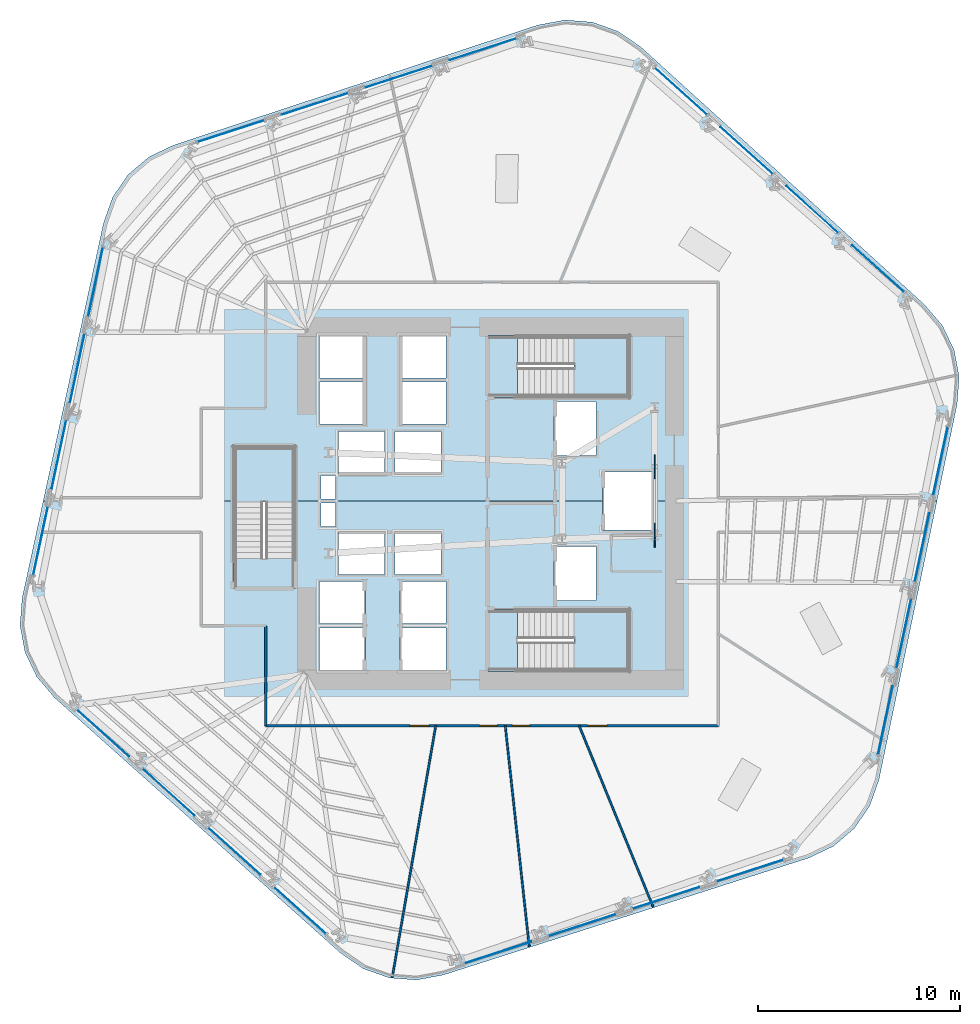
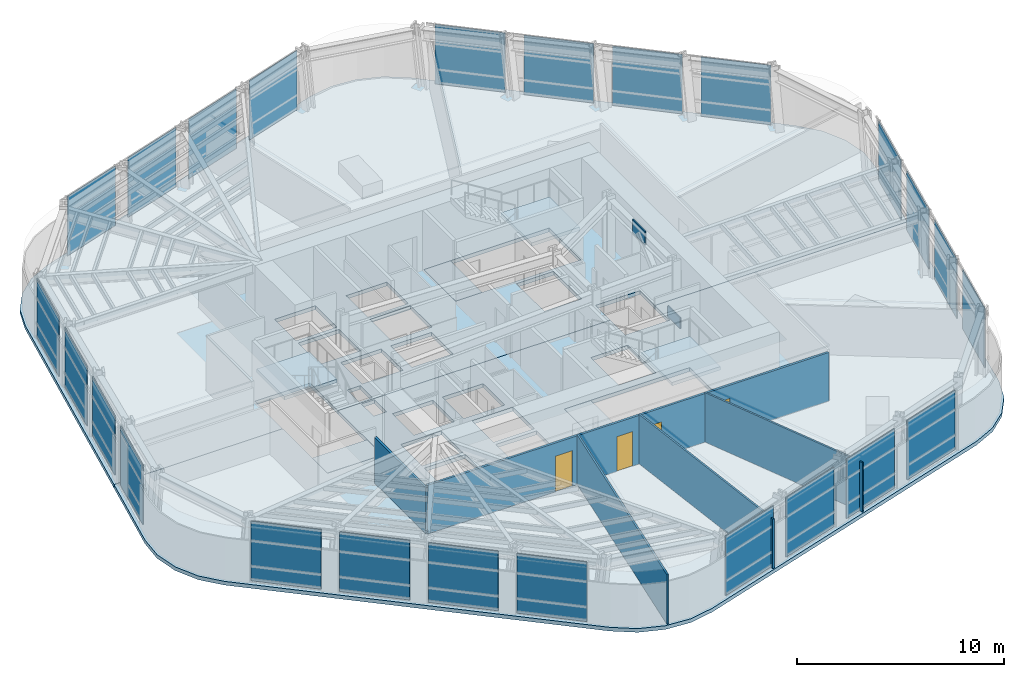
# One storey, part 8 of 16: 26 plates, 8 slabs, 5 walls, 4 doors, 4 openings, 9 elements without a shape of their own.
"""IFC4 building model written with IfcOpenShell, lengths in metres."""

from ifc_helpers import new_model, si_unit, direction, frame, frame_2d, origin, origin_2d, place, context, subcontext, project, spatial, polyline, rectangle, outline, extrude, material, layer, layer_set, type_object, element, fill, aggregate, save


model = new_model("IFC4")

# Units and contexts
model_context = context("Model", 3, precision=1e-05, world=origin(), true_north=direction((0.0, 1.0)))
body_context = subcontext(model_context, "Body", "Model", "MODEL_VIEW")
ifc_project = project(units=[si_unit("LENGTHUNIT", "METRE"), si_unit("AREAUNIT", "SQUARE_METRE"), si_unit("VOLUMEUNIT", "CUBIC_METRE"), si_unit("PLANEANGLEUNIT", "RADIAN"), si_unit("MASSUNIT", "GRAM", prefix="KILO")], contexts=[model_context])

# Site, building, storey
site_placement = place(None, origin())
site = spatial("IfcSite", under=ifc_project, at=site_placement, CompositionType="ELEMENT")
building_placement = place(site_placement, origin())
building = spatial("IfcBuilding", under=site, at=building_placement, Name="Valkerne Bourse Tower", CompositionType="ELEMENT")
storey_placement = place(building_placement, frame((0.0, 0.0, 101.0)))
storey = spatial("IfcBuildingStorey", under=building, at=storey_placement, Name="L25", CompositionType="ELEMENT", Elevation=101.0)

# Curtain wall, plates
ifc_material_1 = material(Name="Aluminium AA 6063-T6", Category="aluminium")
ifc_layer_1 = layer(ifc_material_1, 0.22998046875)
ifc_layer_set_1 = layer_set([ifc_layer_1], Name="Aluminium AA 6063-T6")
curtain_wall_type = type_object("IfcCurtainWallType", Name="CW-02", PredefinedType="NOTDEFINED", material=ifc_layer_set_1)
curtain_wall_1_placement = place(storey_placement, origin())
curtain_wall_1 = element("IfcCurtainWall", 1, at=curtain_wall_1_placement, inside=storey, type_object=curtain_wall_type, Name="L25 Hexagonal Stick Curtain Wall Face 1", PredefinedType="NOTDEFINED")
ifc_material_2 = material(Name="Glass IGU Low-E Double Glazed", Category="glass")
ifc_layer_2 = layer(ifc_material_2, 0.031982421875)
ifc_layer_set_2 = layer_set([ifc_layer_2], Name="Glass IGU Low-E Double Glazed")
plate_type_1 = type_object("IfcPlateType", Name="CW-PNL-IGU-32", PredefinedType="CURTAIN_PANEL", material=ifc_layer_set_2)
plate_1_placement = place(storey_placement, frame((66.023681640625, 38.524658203125, 0.030029296875), z_axis=(0.0, 0.0, 1.0), x_axis=(-0.743144377687, 0.66913110368, 0.0)))
plate_1 = element("IfcPlate", 2, at=plate_1_placement, type_object=plate_type_1, Name="CW-L25-F1 Curtain Panel 00", PredefinedType="CURTAIN_PANEL", context=body_context, shape_type="SweptSolid", body=[
    extrude(rectangle(XDim=3.462890625, YDim=0.031982421875, at=origin_2d()), origin(), (0.0, 0.0, 1.0), 3.52001953125),
])
plate_2_placement = place(storey_placement, frame((62.7666015625, 41.45751953125, 0.030029296875), z_axis=(0.0, 0.0, 1.0), x_axis=(-0.743144377687, 0.66913110368, 0.0)))
plate_2 = element("IfcPlate", 3, at=plate_2_placement, type_object=plate_type_1, Name="CW-L25-F1 Curtain Panel 01", PredefinedType="CURTAIN_PANEL", context=body_context, shape_type="SweptSolid", body=[
    extrude(rectangle(XDim=3.462890625, YDim=0.031982421875, at=origin_2d()), origin(), (0.0, 0.0, 1.0), 3.52001953125),
])
plate_3_placement = place(storey_placement, frame((59.50927734375, 44.390380859375, 0.030029296875), z_axis=(0.0, 0.0, 1.0), x_axis=(-0.743144377687, 0.66913110368, 0.0)))
plate_3 = element("IfcPlate", 4, at=plate_3_placement, type_object=plate_type_1, Name="CW-L25-F1 Curtain Panel 02", PredefinedType="CURTAIN_PANEL", context=body_context, shape_type="SweptSolid", body=[
    extrude(rectangle(XDim=3.462890625, YDim=0.031982421875, at=origin_2d()), origin(), (0.0, 0.0, 1.0), 3.52001953125),
])
plate_4_placement = place(storey_placement, frame((56.252197265625, 47.322998046875, 0.030029296875), z_axis=(0.0, 0.0, 1.0), x_axis=(-0.743144377687, 0.66913110368, 0.0)))
plate_4 = element("IfcPlate", 5, at=plate_4_placement, type_object=plate_type_1, Name="CW-L25-F1 Curtain Panel 03", PredefinedType="CURTAIN_PANEL", context=body_context, shape_type="SweptSolid", body=[
    extrude(rectangle(XDim=3.462890625, YDim=0.031982421875, at=origin_2d()), origin(), (0.0, 0.0, 1.0), 3.52001953125),
])
aggregate(curtain_wall_1, [plate_1, plate_2, plate_3, plate_4])

curtain_wall_2_placement = place(storey_placement, origin())
curtain_wall_2 = element("IfcCurtainWall", 6, at=curtain_wall_2_placement, inside=storey, type_object=curtain_wall_type, Name="L25 Hexagonal Stick Curtain Wall Face 2", PredefinedType="NOTDEFINED")
plate_5_placement = place(storey_placement, frame((46.43115234375, 49.41064453125, 0.030029296875), z_axis=(0.0, 0.0, 1.0), x_axis=(-0.951051671907, -0.30903190347, 0.0)))
plate_5 = element("IfcPlate", 7, at=plate_5_placement, type_object=plate_type_1, Name="CW-L25-F2 Curtain Panel 00", PredefinedType="CURTAIN_PANEL", context=body_context, shape_type="SweptSolid", body=[
    extrude(rectangle(XDim=3.462890625, YDim=0.031982421875, at=origin_2d()), origin(), (0.0, 0.0, 1.0), 3.52001953125),
])
plate_6_placement = place(storey_placement, frame((42.2626953125, 48.05615234375, 0.030029296875), z_axis=(0.0, 0.0, 1.0), x_axis=(-0.951058377242, -0.309011266911, 0.0)))
plate_6 = element("IfcPlate", 8, at=plate_6_placement, type_object=plate_type_1, Name="CW-L25-F2 Curtain Panel 01", PredefinedType="CURTAIN_PANEL", context=body_context, shape_type="SweptSolid", body=[
    extrude(rectangle(XDim=3.462890625, YDim=0.031982421875, at=origin_2d()), origin(), (0.0, 0.0, 1.0), 3.52001953125),
])
plate_7_placement = place(storey_placement, frame((38.09423828125, 46.701904296875, 0.030029296875), z_axis=(0.0, 0.0, 1.0), x_axis=(-0.951056198577, -0.309017972209, 0.0)))
plate_7 = element("IfcPlate", 9, at=plate_7_placement, type_object=plate_type_1, Name="CW-L25-F2 Curtain Panel 02", PredefinedType="CURTAIN_PANEL", context=body_context, shape_type="SweptSolid", body=[
    extrude(rectangle(XDim=3.462890625, YDim=0.031982421875, at=origin_2d()), origin(), (0.0, 0.0, 1.0), 3.52001953125),
])
plate_8_placement = place(storey_placement, frame((33.92578125, 45.347412109375, 0.030029296875), z_axis=(0.0, 0.0, 1.0), x_axis=(-0.951058377242, -0.309011266911, 0.0)))
plate_8 = element("IfcPlate", 10, at=plate_8_placement, type_object=plate_type_1, Name="CW-L25-F2 Curtain Panel 03", PredefinedType="CURTAIN_PANEL", context=body_context, shape_type="SweptSolid", body=[
    extrude(rectangle(XDim=3.462890625, YDim=0.031982421875, at=origin_2d()), origin(), (0.0, 0.0, 1.0), 3.52001953125),
])
aggregate(curtain_wall_2, [plate_5, plate_6, plate_7, plate_8])

curtain_wall_3_placement = place(storey_placement, origin())
curtain_wall_3 = element("IfcCurtainWall", 11, at=curtain_wall_3_placement, inside=storey, type_object=curtain_wall_type, Name="L25 Hexagonal Stick Curtain Wall Face 3", PredefinedType="NOTDEFINED")
plate_9_placement = place(storey_placement, frame((27.20751953125, 37.885986328125, 0.030029296875), z_axis=(0.0, 0.0, 1.0), x_axis=(-0.207917695785, -0.978146324319, 0.0)))
plate_9 = element("IfcPlate", 12, at=plate_9_placement, type_object=plate_type_1, Name="CW-L25-F3 Curtain Panel 00", PredefinedType="CURTAIN_PANEL", context=body_context, shape_type="SweptSolid", body=[
    extrude(rectangle(XDim=3.462890625, YDim=0.031982421875, at=origin_2d()), origin(), (0.0, 0.0, 1.0), 3.52001953125),
])
plate_10_placement = place(storey_placement, frame((26.296142578125, 33.5986328125, 0.030029296875), z_axis=(0.0, 0.0, 1.0), x_axis=(-0.207917695785, -0.978146324319, 0.0)))
plate_10 = element("IfcPlate", 13, at=plate_10_placement, type_object=plate_type_1, Name="CW-L25-F3 Curtain Panel 01", PredefinedType="CURTAIN_PANEL", context=body_context, shape_type="SweptSolid", body=[
    extrude(rectangle(XDim=3.462890625, YDim=0.031982421875, at=origin_2d()), origin(), (0.0, 0.0, 1.0), 3.52001953125),
])
plate_11_placement = place(storey_placement, frame((25.385009765625, 29.3115234375, 0.030029296875), z_axis=(0.0, 0.0, 1.0), x_axis=(-0.207917695785, -0.978146324319, 0.0)))
plate_11 = element("IfcPlate", 14, at=plate_11_placement, type_object=plate_type_1, Name="CW-L25-F3 Curtain Panel 02", PredefinedType="CURTAIN_PANEL", context=body_context, shape_type="SweptSolid", body=[
    extrude(rectangle(XDim=3.462890625, YDim=0.031982421875, at=origin_2d()), origin(), (0.0, 0.0, 1.0), 3.52001953125),
])
plate_12_placement = place(storey_placement, frame((24.4736328125, 25.0244140625, 0.030029296875), z_axis=(0.0, 0.0, 1.0), x_axis=(-0.207913055801, -0.978147310597, 0.0)))
plate_12 = element("IfcPlate", 15, at=plate_12_placement, type_object=plate_type_1, Name="CW-L25-F3 Curtain Panel 03", PredefinedType="CURTAIN_PANEL", context=body_context, shape_type="SweptSolid", body=[
    extrude(rectangle(XDim=3.463134765625, YDim=0.031982421875, at=origin_2d()), origin(), (0.0, 0.0, 1.0), 3.52001953125),
])
aggregate(curtain_wall_3, [plate_9, plate_10, plate_11, plate_12])

curtain_wall_4_placement = place(storey_placement, origin())
curtain_wall_4 = element("IfcCurtainWall", 16, at=curtain_wall_4_placement, inside=storey, type_object=curtain_wall_type, Name="L25 Hexagonal Stick Curtain Wall Face 4", PredefinedType="NOTDEFINED")
plate_13_placement = place(storey_placement, frame((27.576416015625, 15.475341796875, 0.030029296875), z_axis=(0.0, 0.0, 1.0), x_axis=(0.743144377687, -0.66913110368, 0.0)))
plate_13 = element("IfcPlate", 17, at=plate_13_placement, type_object=plate_type_1, Name="CW-L25-F4 Curtain Panel 00", PredefinedType="CURTAIN_PANEL", context=body_context, shape_type="SweptSolid", body=[
    extrude(rectangle(XDim=3.462890625, YDim=0.031982421875, at=origin_2d()), origin(), (0.0, 0.0, 1.0), 3.52001953125),
])
plate_14_placement = place(storey_placement, frame((30.83349609375, 12.54248046875, 0.030029296875), z_axis=(0.0, 0.0, 1.0), x_axis=(0.743144377687, -0.66913110368, 0.0)))
plate_14 = element("IfcPlate", 18, at=plate_14_placement, type_object=plate_type_1, Name="CW-L25-F4 Curtain Panel 01", PredefinedType="CURTAIN_PANEL", context=body_context, shape_type="SweptSolid", body=[
    extrude(rectangle(XDim=3.462890625, YDim=0.031982421875, at=origin_2d()), origin(), (0.0, 0.0, 1.0), 3.52001953125),
])
plate_15_placement = place(storey_placement, frame((34.0908203125, 9.60986328125, 0.030029296875), z_axis=(0.0, 0.0, 1.0), x_axis=(0.743144377687, -0.66913110368, 0.0)))
plate_15 = element("IfcPlate", 19, at=plate_15_placement, type_object=plate_type_1, Name="CW-L25-F4 Curtain Panel 02", PredefinedType="CURTAIN_PANEL", context=body_context, shape_type="SweptSolid", body=[
    extrude(rectangle(XDim=3.462890625, YDim=0.031982421875, at=origin_2d()), origin(), (0.0, 0.0, 1.0), 3.52001953125),
])
plate_16_placement = place(storey_placement, frame((37.347900390625, 6.677001953125, 0.030029296875), z_axis=(0.0, 0.0, 1.0), x_axis=(0.743144377687, -0.66913110368, 0.0)))
plate_16 = element("IfcPlate", 20, at=plate_16_placement, type_object=plate_type_1, Name="CW-L25-F4 Curtain Panel 03", PredefinedType="CURTAIN_PANEL", context=body_context, shape_type="SweptSolid", body=[
    extrude(rectangle(XDim=3.462890625, YDim=0.031982421875, at=origin_2d()), origin(), (0.0, 0.0, 1.0), 3.52001953125),
])
aggregate(curtain_wall_4, [plate_13, plate_14, plate_15, plate_16])

curtain_wall_5_placement = place(storey_placement, origin())
curtain_wall_5 = element("IfcCurtainWall", 21, at=curtain_wall_5_placement, inside=storey, type_object=curtain_wall_type, Name="L25 Hexagonal Stick Curtain Wall Face 5", PredefinedType="NOTDEFINED")
plate_17_placement = place(storey_placement, frame((47.168701171875, 4.58935546875, 0.030029296875), z_axis=(0.0, 0.0, 1.0), x_axis=(0.951051671907, 0.30903190347, 0.0)))
plate_17 = element("IfcPlate", 22, at=plate_17_placement, type_object=plate_type_1, Name="CW-L25-F5 Curtain Panel 00", PredefinedType="CURTAIN_PANEL", context=body_context, shape_type="SweptSolid", body=[
    extrude(rectangle(XDim=3.462890625, YDim=0.031982421875, at=origin_2d()), origin(), (0.0, 0.0, 1.0), 3.52001953125),
])
plate_18_placement = place(storey_placement, frame((51.33740234375, 5.94384765625, 0.030029296875), z_axis=(0.0, 0.0, 1.0), x_axis=(0.951058377242, 0.309011266911, 0.0)))
plate_18 = element("IfcPlate", 23, at=plate_18_placement, type_object=plate_type_1, Name="CW-L25-F5 Curtain Panel 01", PredefinedType="CURTAIN_PANEL", context=body_context, shape_type="SweptSolid", body=[
    extrude(rectangle(XDim=3.462890625, YDim=0.031982421875, at=origin_2d()), origin(), (0.0, 0.0, 1.0), 3.52001953125),
])
plate_19_placement = place(storey_placement, frame((55.505615234375, 7.298095703125, 0.030029296875), z_axis=(0.0, 0.0, 1.0), x_axis=(0.951056198577, 0.309017972209, 0.0)))
plate_19 = element("IfcPlate", 24, at=plate_19_placement, type_object=plate_type_1, Name="CW-L25-F5 Curtain Panel 02", PredefinedType="CURTAIN_PANEL", context=body_context, shape_type="SweptSolid", body=[
    extrude(rectangle(XDim=3.462890625, YDim=0.031982421875, at=origin_2d()), origin(), (0.0, 0.0, 1.0), 3.52001953125),
])
plate_20_placement = place(storey_placement, frame((59.67431640625, 8.652587890625, 0.030029296875), z_axis=(0.0, 0.0, 1.0), x_axis=(0.951058377242, 0.309011266911, 0.0)))
plate_20 = element("IfcPlate", 25, at=plate_20_placement, type_object=plate_type_1, Name="CW-L25-F5 Curtain Panel 03", PredefinedType="CURTAIN_PANEL", context=body_context, shape_type="SweptSolid", body=[
    extrude(rectangle(XDim=3.462890625, YDim=0.031982421875, at=origin_2d()), origin(), (0.0, 0.0, 1.0), 3.52001953125),
])
aggregate(curtain_wall_5, [plate_17, plate_18, plate_19, plate_20])

curtain_wall_6_placement = place(storey_placement, origin())
curtain_wall_6 = element("IfcCurtainWall", 26, at=curtain_wall_6_placement, inside=storey, type_object=curtain_wall_type, Name="L25 Hexagonal Stick Curtain Wall Face 6", PredefinedType="NOTDEFINED")
plate_21_placement = place(storey_placement, frame((66.392578125, 16.114013671875, 0.030029296875), z_axis=(0.0, 0.0, 1.0), x_axis=(0.207917695785, 0.978146324319, 0.0)))
plate_21 = element("IfcPlate", 27, at=plate_21_placement, type_object=plate_type_1, Name="CW-L25-F6 Curtain Panel 00", PredefinedType="CURTAIN_PANEL", context=body_context, shape_type="SweptSolid", body=[
    extrude(rectangle(XDim=3.462890625, YDim=0.031982421875, at=origin_2d()), origin(), (0.0, 0.0, 1.0), 3.52001953125),
])
plate_22_placement = place(storey_placement, frame((67.3037109375, 20.4013671875, 0.030029296875), z_axis=(0.0, 0.0, 1.0), x_axis=(0.207917695785, 0.978146324319, 0.0)))
plate_22 = element("IfcPlate", 28, at=plate_22_placement, type_object=plate_type_1, Name="CW-L25-F6 Curtain Panel 01", PredefinedType="CURTAIN_PANEL", context=body_context, shape_type="SweptSolid", body=[
    extrude(rectangle(XDim=3.462890625, YDim=0.031982421875, at=origin_2d()), origin(), (0.0, 0.0, 1.0), 3.52001953125),
])
plate_23_placement = place(storey_placement, frame((68.215087890625, 24.6884765625, 0.030029296875), z_axis=(0.0, 0.0, 1.0), x_axis=(0.207917695785, 0.978146324319, 0.0)))
plate_23 = element("IfcPlate", 29, at=plate_23_placement, type_object=plate_type_1, Name="CW-L25-F6 Curtain Panel 02", PredefinedType="CURTAIN_PANEL", context=body_context, shape_type="SweptSolid", body=[
    extrude(rectangle(XDim=3.462890625, YDim=0.031982421875, at=origin_2d()), origin(), (0.0, 0.0, 1.0), 3.52001953125),
])
plate_24_placement = place(storey_placement, frame((69.12646484375, 28.9755859375, 0.030029296875), z_axis=(0.0, 0.0, 1.0), x_axis=(0.207913055801, 0.978147310597, 0.0)))
plate_24 = element("IfcPlate", 30, at=plate_24_placement, type_object=plate_type_1, Name="CW-L25-F6 Curtain Panel 03", PredefinedType="CURTAIN_PANEL", context=body_context, shape_type="SweptSolid", body=[
    extrude(rectangle(XDim=3.463134765625, YDim=0.031982421875, at=origin_2d()), origin(), (0.0, 0.0, 1.0), 3.52001953125),
])
aggregate(curtain_wall_6, [plate_21, plate_22, plate_23, plate_24])

# Plates
ifc_material_3 = material(Name="Steel ASTM A572 Grade 50", Category="steel")
ifc_layer_3 = layer(ifc_material_3, 0.06005859375)
ifc_layer_set_3 = layer_set([ifc_layer_3], Name="Steel ASTM A572 Grade 50")
plate_type_2 = type_object("IfcPlateType", Name="PLT-GUS-60", PredefinedType="SHEET", material=ifc_layer_set_3)
for number, where, z_axis, x_axis, name in (
    (31, (54.949951171875, 25.300048828125, -0.18017578125), (0.0, 0.0, 1.0), (0.0, 1.0, 0.0), "L25 Brace Node Gusset Plate PLT-GUS-END-L25-366"),
    (32, (54.949951171875, 28.699951171875, 2.8740234375), (0.0, 0.0, 1.0), (0.0, 1.0, 0.0), "L25 Brace Node Gusset Plate PLT-GUS-END-L25-367"),
):
    element("IfcPlate", number, at=place(storey_placement, frame(where, z_axis=z_axis, x_axis=x_axis)), inside=storey, type_object=plate_type_2, Name=name, PredefinedType="SHEET", context=body_context, shape_type="SweptSolid", body=[
        extrude(rectangle(XDim=1.199951171875, YDim=0.06005859375, at=origin_2d()), origin(), (0.0, 0.0, 1.0), 0.800048828125),
    ])

# Slabs
ifc_material_4 = material(Name="Concrete C40/50", Category="concrete")
ifc_layer_4 = layer(ifc_material_4, 0.25)
ifc_layer_set_4 = layer_set([ifc_layer_4], Name="Concrete C40/50")
slab_type_1 = type_object("IfcSlabType", Name="SLB-RMP-LND-250", PredefinedType="LANDING", material=ifc_layer_set_4)
slab_1_placement = place(storey_placement, frame((0.0, 0.0, -0.219970703125)))
element("IfcSlab", 33, at=slab_1_placement, inside=storey, type_object=slab_type_1, Name="L25 ST-1 Floor Landing Slab", PredefinedType="LANDING", context=body_context, shape_type="SweptSolid", body=[
    extrude(outline(polyline([(46.669921875, 18.5400390625), (48.14990234375, 18.5400390625), (48.14990234375, 21.610107421875), (46.669921875, 21.610107421875), (46.669921875, 18.5400390625)])), origin(), (0.0, 0.0, 1.0), 0.219970703125),
])
slab_2_placement = place(storey_placement, frame((0.0, 0.0, -0.219970703125)))
element("IfcSlab", 34, at=slab_2_placement, inside=storey, type_object=slab_type_1, Name="L25 ST-2 Floor Landing Slab", PredefinedType="LANDING", context=body_context, shape_type="SweptSolid", body=[
    extrude(outline(polyline([(46.669921875, 32.139892578125), (48.14990234375, 32.139892578125), (48.14990234375, 35.2099609375), (46.669921875, 35.2099609375), (46.669921875, 32.139892578125)])), origin(), (0.0, 0.0, 1.0), 0.219970703125),
])
slab_3_placement = place(storey_placement, frame((0.0, 0.0, -0.219970703125)))
element("IfcSlab", 35, at=slab_3_placement, inside=storey, type_object=slab_type_1, Name="L25 ST-3 Floor Landing Slab", PredefinedType="LANDING", context=body_context, shape_type="SweptSolid", body=[
    extrude(outline(polyline([(37.110107421875, 22.669921875), (37.110107421875, 24.14990234375), (34.0400390625, 24.14990234375), (34.0400390625, 22.669921875), (37.110107421875, 22.669921875)])), origin(), (0.0, 0.0, 1.0), 0.219970703125),
])

# Stair, slab
stair_type = type_object("IfcStairType", Name="ST-CORE-1400", PredefinedType="HALF_TURN_STAIR", material=ifc_material_4)
stair_1_placement = place(storey_placement, origin())
stair_1 = element("IfcStair", 36, at=stair_1_placement, inside=storey, type_object=stair_type, Name="L25 ST-1", PredefinedType="HALF_TURN_STAIR")
ifc_layer_5 = layer(ifc_material_4, 0.179931640625)
ifc_layer_set_5 = layer_set([ifc_layer_5], Name="Concrete C40/50")
slab_type_2 = type_object("IfcSlabType", Name="SLB-ST-LND-180", PredefinedType="LANDING", material=ifc_layer_set_5)
slab_4_placement = place(storey_placement, frame((0.0, 0.0, 1.699951171875)))
slab_4 = element("IfcSlab", 37, at=slab_4_placement, type_object=slab_type_2, Name="ST-1 landing 1", PredefinedType="LANDING", context=body_context, shape_type="SweptSolid", body=[
    extrude(outline(polyline([(50.949951171875, 18.60009765625), (53.64990234375, 18.60009765625), (53.64990234375, 21.550048828125), (50.949951171875, 21.550048828125), (50.949951171875, 18.60009765625)])), origin(), (0.0, 0.0, 1.0), 0.199951171875),
])
aggregate(stair_1, [slab_4])

stair_2_placement = place(storey_placement, origin())
stair_2 = element("IfcStair", 38, at=stair_2_placement, inside=storey, type_object=stair_type, Name="L25 ST-2", PredefinedType="HALF_TURN_STAIR")
slab_5_placement = place(storey_placement, frame((0.0, 0.0, 1.699951171875)))
slab_5 = element("IfcSlab", 39, at=slab_5_placement, type_object=slab_type_2, Name="ST-2 landing 1", PredefinedType="LANDING", context=body_context, shape_type="SweptSolid", body=[
    extrude(outline(polyline([(50.949951171875, 32.199951171875), (53.64990234375, 32.199951171875), (53.64990234375, 35.14990234375), (50.949951171875, 35.14990234375), (50.949951171875, 32.199951171875)])), origin(), (0.0, 0.0, 1.0), 0.199951171875),
])
aggregate(stair_2, [slab_5])

stair_3_placement = place(storey_placement, origin())
stair_3 = element("IfcStair", 40, at=stair_3_placement, inside=storey, type_object=stair_type, Name="L25 ST-3", PredefinedType="HALF_TURN_STAIR")
slab_6_placement = place(storey_placement, frame((0.0, 0.0, 1.699951171875)))
slab_6 = element("IfcSlab", 41, at=slab_6_placement, type_object=slab_type_2, Name="ST-3 landing 1", PredefinedType="LANDING", context=body_context, shape_type="SweptSolid", body=[
    extrude(outline(polyline([(37.050048828125, 26.949951171875), (37.050048828125, 29.64990234375), (34.10009765625, 29.64990234375), (34.10009765625, 26.949951171875), (37.050048828125, 26.949951171875)])), origin(), (0.0, 0.0, 1.0), 0.199951171875),
])
aggregate(stair_3, [slab_6])

# Slabs
ifc_layer_6 = layer(ifc_material_4, 0.219970703125)
ifc_layer_set_6 = layer_set([ifc_layer_6], Name="Concrete C40/50")
slab_type_3 = type_object("IfcSlabType", Name="SLB-TOW-220", PredefinedType="FLOOR", material=ifc_layer_set_6)
slab_7_placement = place(storey_placement, frame((0.0, 0.0, -0.219970703125)))
element("IfcSlab", 42, at=slab_7_placement, inside=storey, type_object=slab_type_3, Name="L25 Hexagonal Composite Floor Slab S", PredefinedType="FLOOR", context=body_context, shape_type="SweptSolid", body=[
    extrude(outline(polyline([(65.618896484375, 11.8662109375), (64.85009765625, 10.74755859375), (63.81787109375, 9.865966796875), (62.5927734375, 9.281494140625), (44.45751953125, 3.47412109375), (43.122802734375, 3.226806640625), (41.76953125, 3.333251953125), (40.489990234375, 3.786376953125), (39.37109375, 4.55517578125), (25.166015625, 17.23681640625), (24.2841796875, 18.26904296875), (23.699951171875, 19.494384765625), (23.452392578125, 20.8291015625), (23.55908203125, 22.182373046875), (24.6044921875, 27.0), (34.034912109375, 27.0), (34.034912109375, 22.6650390625), (37.114990234375, 22.6650390625), (37.114990234375, 27.0), (52.360107421875, 27.0), (52.360107421875, 25.56005859375), (54.840087890625, 25.56005859375), (54.840087890625, 27.0), (68.95556640625, 27.0), (66.072265625, 13.14599609375), (65.618896484375, 11.8662109375)]), holes=[polyline([(40.590087890625, 20.68994140625), (38.31005859375, 20.68994140625), (38.31005859375, 18.610107421875), (40.590087890625, 18.610107421875), (40.590087890625, 20.68994140625)]), polyline([(40.590087890625, 22.989990234375), (38.31005859375, 22.989990234375), (38.31005859375, 20.909912109375), (40.590087890625, 20.909912109375), (40.590087890625, 22.989990234375)]), polyline([(41.5400390625, 25.43994140625), (39.260009765625, 25.43994140625), (39.260009765625, 23.360107421875), (41.5400390625, 23.360107421875), (41.5400390625, 25.43994140625)]), polyline([(39.10009765625, 25.72998046875), (39.10009765625, 26.89990234375), (38.3798828125, 26.89990234375), (38.3798828125, 25.72998046875), (39.10009765625, 25.72998046875)]), polyline([(44.590087890625, 20.68994140625), (42.31005859375, 20.68994140625), (42.31005859375, 18.610107421875), (44.590087890625, 18.610107421875), (44.590087890625, 20.68994140625)]), polyline([(53.675048828125, 21.614990234375), (46.6650390625, 21.614990234375), (46.6650390625, 18.534912109375), (53.675048828125, 18.534912109375), (53.675048828125, 21.614990234375)]), polyline([(44.590087890625, 22.989990234375), (42.31005859375, 22.989990234375), (42.31005859375, 20.909912109375), (44.590087890625, 20.909912109375), (44.590087890625, 22.989990234375)]), polyline([(52.0400390625, 22.06005859375), (52.0400390625, 24.739990234375), (49.9599609375, 24.739990234375), (49.9599609375, 22.06005859375), (52.0400390625, 22.06005859375)]), polyline([(44.340087890625, 23.360107421875), (44.340087890625, 25.43994140625), (42.06005859375, 25.43994140625), (42.06005859375, 23.360107421875), (44.340087890625, 23.360107421875)])]), origin(), (0.0, 0.0, 1.0), 0.219970703125),
])
slab_8_placement = place(storey_placement, frame((0.0, 0.0, -0.219970703125)))
element("IfcSlab", 43, at=slab_8_placement, inside=storey, type_object=slab_type_3, Name="L25 Hexagonal Composite Floor Slab N", PredefinedType="FLOOR", context=body_context, shape_type="SweptSolid", body=[
    extrude(outline(polyline([(27.59716796875, 40.79150390625), (28.05029296875, 42.0712890625), (28.819091796875, 43.18994140625), (29.851318359375, 44.071533203125), (31.07666015625, 44.656005859375), (49.161865234375, 50.6171875), (50.49658203125, 50.864501953125), (51.849853515625, 50.758056640625), (53.12939453125, 50.304931640625), (54.248291015625, 49.5361328125), (68.34521484375, 36.734375), (69.226806640625, 35.7021484375), (69.811279296875, 34.476806640625), (70.05859375, 33.14208984375), (69.9521484375, 31.788818359375), (68.95556640625, 27.0), (54.840087890625, 27.0), (54.840087890625, 28.43994140625), (52.360107421875, 28.43994140625), (52.360107421875, 27.0), (37.114990234375, 27.0), (37.114990234375, 29.675048828125), (34.034912109375, 29.675048828125), (34.034912109375, 27.0), (24.6044921875, 27.0), (27.59716796875, 40.79150390625)]), holes=[polyline([(39.10009765625, 28.27001953125), (38.3798828125, 28.27001953125), (38.3798828125, 27.10009765625), (39.10009765625, 27.10009765625), (39.10009765625, 28.27001953125)]), polyline([(41.5400390625, 30.43994140625), (39.260009765625, 30.43994140625), (39.260009765625, 28.360107421875), (41.5400390625, 28.360107421875), (41.5400390625, 30.43994140625)]), polyline([(44.340087890625, 30.43994140625), (42.06005859375, 30.43994140625), (42.06005859375, 28.360107421875), (44.340087890625, 28.360107421875), (44.340087890625, 30.43994140625)]), polyline([(40.590087890625, 30.81005859375), (40.590087890625, 32.889892578125), (38.31005859375, 32.889892578125), (38.31005859375, 30.81005859375), (40.590087890625, 30.81005859375)]), polyline([(40.590087890625, 33.110107421875), (40.590087890625, 35.18994140625), (38.31005859375, 35.18994140625), (38.31005859375, 33.110107421875), (40.590087890625, 33.110107421875)]), polyline([(52.0400390625, 31.93994140625), (49.9599609375, 31.93994140625), (49.9599609375, 29.260009765625), (52.0400390625, 29.260009765625), (52.0400390625, 31.93994140625)]), polyline([(44.590087890625, 32.889892578125), (42.31005859375, 32.889892578125), (42.31005859375, 30.81005859375), (44.590087890625, 30.81005859375), (44.590087890625, 32.889892578125)]), polyline([(53.675048828125, 32.135009765625), (53.675048828125, 35.215087890625), (46.6650390625, 35.215087890625), (46.6650390625, 32.135009765625), (53.675048828125, 32.135009765625)]), polyline([(44.590087890625, 33.110107421875), (44.590087890625, 35.18994140625), (42.31005859375, 35.18994140625), (42.31005859375, 33.110107421875), (44.590087890625, 33.110107421875)])]), origin(), (0.0, 0.0, 1.0), 0.219970703125),
])

# Wall, openings, doors
ifc_material_5 = material(Name="Gypsum Board Steel-Stud Partition", Category="steel")
ifc_layer_7 = layer(ifc_material_5, 0.117919921875)
ifc_layer_set_7 = layer_set([ifc_layer_7], Name="Gypsum Board Steel-Stud Partition")
wall_type_1 = type_object("IfcWallType", Name="W-CORR-140", PredefinedType="PARTITIONING", material=ifc_layer_set_7)
wall_1_placement = place(storey_placement, frame((58.10009765625, 15.85009765625, 0.0), z_axis=(0.0, 0.0, 1.0), x_axis=(-1.0, 0.0, 0.0)))
wall_1 = element("IfcWall", 44, at=wall_1_placement, inside=storey, type_object=wall_type_1, Name="L25 Corridor Enclosure Wall", PredefinedType="PARTITIONING", context=body_context, shape_type="SweptSolid", body=[
    extrude(rectangle(XDim=22.4501953125, YDim=0.117919921875, at=frame_2d((11.22509765625, 0.0))), origin(), (0.0, 0.0, 1.0), 2.876708984375),
])
opening_1_placement = place(wall_1_placement, frame((9.35498046875, 0.0, 0.0)))
opening_1 = element("IfcOpeningElement", 45, at=opening_1_placement, cuts=wall_1, Name="Opening D-WC-900", PredefinedType="OPENING", context=body_context, shape_type="SweptSolid", body=[
    extrude(rectangle(XDim=0.860107421875, YDim=2.050048828125, at=frame_2d((0.43017578125, 1.02490234375))), frame((0.0, 0.06884765625, 0.0), z_axis=(0.0, -1.0, 0.0), x_axis=(1.0, 0.0, 0.0)), (0.0, 0.0, 1.0), 0.137939453125),
])
opening_2_placement = place(wall_1_placement, frame((10.97509765625, 0.0, 0.0)))
opening_2 = element("IfcOpeningElement", 46, at=opening_2_placement, cuts=wall_1, Name="Opening D-WC-900", PredefinedType="OPENING", context=body_context, shape_type="SweptSolid", body=[
    extrude(rectangle(XDim=0.860107421875, YDim=2.050048828125, at=frame_2d((0.43017578125, 1.02490234375))), frame((0.0, 0.06884765625, 0.0), z_axis=(0.0, -1.0, 0.0), x_axis=(1.0, 0.0, 0.0)), (0.0, 0.0, 1.0), 0.137939453125),
])
opening_3_placement = place(wall_1_placement, frame((5.530029296875, 0.0, 0.0)))
opening_3 = element("IfcOpeningElement", 47, at=opening_3_placement, cuts=wall_1, Name="Opening D-OF-950", PredefinedType="OPENING", context=body_context, shape_type="SweptSolid", body=[
    extrude(rectangle(XDim=0.949951171875, YDim=2.10009765625, at=frame_2d((0.47509765625, 1.050048828125))), frame((0.0, 0.06884765625, 0.0), z_axis=(0.0, -1.0, 0.0), x_axis=(1.0, 0.0, 0.0)), (0.0, 0.0, 1.0), 0.137939453125),
])
opening_4_placement = place(wall_1_placement, frame((14.35009765625, 0.0, 0.0)))
opening_4 = element("IfcOpeningElement", 48, at=opening_4_placement, cuts=wall_1, Name="Opening D-OF-950", PredefinedType="OPENING", context=body_context, shape_type="SweptSolid", body=[
    extrude(rectangle(XDim=0.949951171875, YDim=2.10009765625, at=frame_2d((0.47509765625, 1.050048828125))), frame((0.0, 0.06884765625, 0.0), z_axis=(0.0, -1.0, 0.0), x_axis=(1.0, 0.0, 0.0)), (0.0, 0.0, 1.0), 0.137939453125),
])
ifc_material_6 = material(Name="Architectural White Oak Timber", Category="wood")
door_type_1 = type_object("IfcDoorType", Name="DR-OFF-950", OperationType="NOTDEFINED", PredefinedType="DOOR", material=ifc_material_6)
door_1_placement = place(opening_3_placement, origin())
door_1 = element("IfcDoor", 49, at=door_1_placement, inside=storey, type_object=door_type_1, Name="L25 L25 Executive Advisory Suite Office 3 Door", OperationType="SINGLE_SWING_LEFT", OverallHeight=2.10009765625, OverallWidth=0.949951171875, PredefinedType="DOOR", context=body_context, shape_type="SweptSolid", body=[
    extrude(rectangle(XDim=0.949951171875, YDim=2.10009765625, at=frame_2d((0.47509765625, 1.050048828125))), frame((0.0, 0.02490234375, 0.0), z_axis=(0.0, -1.0, 0.0), x_axis=(1.0, 0.0, 0.0)), (0.0, 0.0, 1.0), 0.050048828125),
])
fill(opening_3, door_1)
door_2_placement = place(opening_4_placement, origin())
door_2 = element("IfcDoor", 50, at=door_2_placement, inside=storey, type_object=door_type_1, Name="L25 L25 Occupational Wellness Clinic 7 Door", OperationType="SINGLE_SWING_RIGHT", OverallHeight=2.10009765625, OverallWidth=0.949951171875, PredefinedType="DOOR", context=body_context, shape_type="SweptSolid", body=[
    extrude(rectangle(XDim=0.949951171875, YDim=2.10009765625, at=frame_2d((0.47509765625, 1.050048828125))), frame((0.0, 0.02490234375, 0.0), z_axis=(0.0, -1.0, 0.0), x_axis=(1.0, 0.0, 0.0)), (0.0, 0.0, 1.0), 0.050048828125),
])
fill(opening_4, door_2)
door_type_2 = type_object("IfcDoorType", Name="DR-WC-900", OperationType="NOTDEFINED", PredefinedType="DOOR", material=ifc_material_6)
door_3_placement = place(opening_1_placement, origin())
door_3 = element("IfcDoor", 51, at=door_3_placement, inside=storey, type_object=door_type_2, Name="L25 L25 Men Bathroom WC 1 Door", OperationType="SINGLE_SWING_LEFT", OverallHeight=2.050048828125, OverallWidth=0.860107421875, PredefinedType="DOOR", context=body_context, shape_type="SweptSolid", body=[
    extrude(rectangle(XDim=0.860107421875, YDim=2.050048828125, at=frame_2d((0.43017578125, 1.02490234375))), frame((0.0, 0.02490234375, 0.0), z_axis=(0.0, -1.0, 0.0), x_axis=(1.0, 0.0, 0.0)), (0.0, 0.0, 1.0), 0.050048828125),
])
fill(opening_1, door_3)
door_4_placement = place(opening_2_placement, origin())
door_4 = element("IfcDoor", 52, at=door_4_placement, inside=storey, type_object=door_type_2, Name="L25 L25 Women Restroom & Shower WC 2 Door", OperationType="SINGLE_SWING_LEFT", OverallHeight=2.050048828125, OverallWidth=0.860107421875, PredefinedType="DOOR", context=body_context, shape_type="SweptSolid", body=[
    extrude(rectangle(XDim=0.860107421875, YDim=2.050048828125, at=frame_2d((0.43017578125, 1.02490234375))), frame((0.0, 0.02490234375, 0.0), z_axis=(0.0, -1.0, 0.0), x_axis=(1.0, 0.0, 0.0)), (0.0, 0.0, 1.0), 0.050048828125),
])
fill(opening_2, door_4)

# Walls
wall_2_placement = place(storey_placement, frame((35.64990234375, 15.85009765625, 0.0), z_axis=(0.0, 0.0, 1.0), x_axis=(0.0, 1.0, 0.0)))
element("IfcWall", 53, at=wall_2_placement, inside=storey, type_object=wall_type_1, Name="L25 Corridor Enclosure Wall", PredefinedType="PARTITIONING", context=body_context, shape_type="SweptSolid", body=[
    extrude(rectangle(XDim=4.949951171875, YDim=0.117919921875, at=frame_2d((2.47509765625, 0.0))), origin(), (0.0, 0.0, 1.0), 2.711669921875),
])
ifc_layer_8 = layer(ifc_material_5, 0.092041015625)
ifc_layer_set_8 = layer_set([ifc_layer_8], Name="Gypsum Board Steel-Stud Partition")
wall_type_2 = type_object("IfcWallType", Name="W-PART-115", PredefinedType="PARTITIONING", material=ifc_layer_set_8)
wall_3_placement = place(storey_placement, frame((44.083251953125, 15.844970703125, 0.0), z_axis=(0.0, 0.0, 1.0), x_axis=(-0.170219344395, -0.985406197867, 0.0)))
element("IfcWall", 54, at=wall_3_placement, inside=storey, type_object=wall_type_2, Name="L25 Suite Partition P01", PredefinedType="PARTITIONING", context=body_context, shape_type="SweptSolid", body=[
    extrude(rectangle(XDim=12.638671875, YDim=0.092041015625, at=frame_2d((6.3193359375, 0.0))), origin(), (0.0, 0.0, 1.0), 2.92236328125),
])
wall_4_placement = place(storey_placement, frame((47.53125, 15.844970703125, 0.0), z_axis=(0.0, 0.0, 1.0), x_axis=(0.108004327991, -0.994150423797, 0.0)))
element("IfcWall", 55, at=wall_4_placement, inside=storey, type_object=wall_type_2, Name="L25 Suite Partition P02", PredefinedType="PARTITIONING", context=body_context, shape_type="SweptSolid", body=[
    extrude(rectangle(XDim=10.9970703125, YDim=0.092041015625, at=frame_2d((5.49853515625, 0.0))), origin(), (0.0, 0.0, 1.0), 2.92236328125),
])
wall_5_placement = place(storey_placement, frame((51.201171875, 15.844970703125, 0.0), z_axis=(0.0, 0.0, 1.0), x_axis=(0.377836574938, -0.925872303636, 0.0)))
element("IfcWall", 56, at=wall_5_placement, inside=storey, type_object=wall_type_2, Name="L25 Suite Partition P03", PredefinedType="PARTITIONING", context=body_context, shape_type="SweptSolid", body=[
    extrude(rectangle(XDim=9.683837890625, YDim=0.092041015625, at=frame_2d((4.841796875, 0.0))), origin(), (0.0, 0.0, 1.0), 2.92236328125),
])

save(model, "model.ifc")
